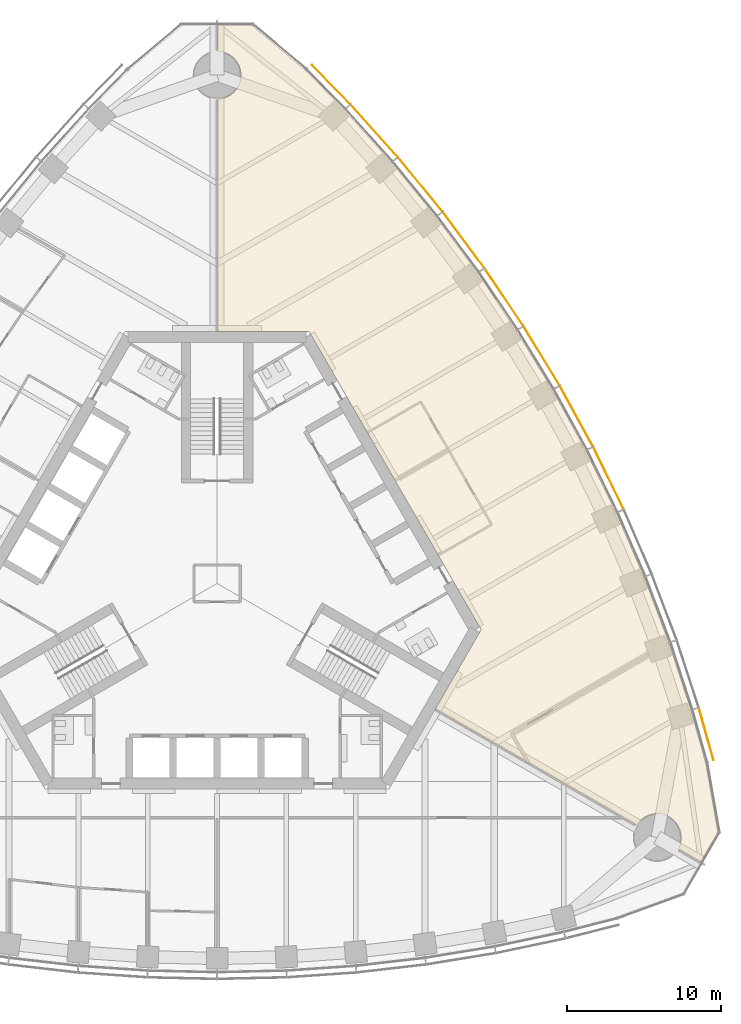
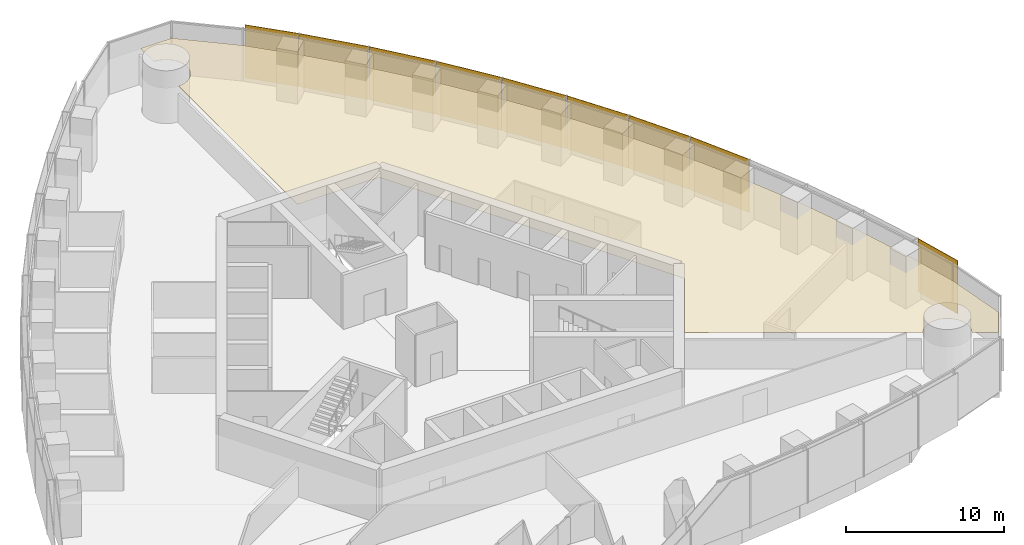
# One storey, part 17 of 19: 9 shading devices, 1 covering.
"""IFC4 building model written with IfcOpenShell, lengths in metres."""

from ifc_helpers import new_model, si_unit, direction, frame, origin, origin_2d, place, context, subcontext, project, spatial, polyline, rectangle, outline, extrude, material, layer, layer_set, type_object, element, save


model = new_model("IFC4")

# Units and contexts
model_context = context("Model", 3, precision=1e-05, world=origin(), true_north=direction((0.0, 1.0)))
body_context = subcontext(model_context, "Body", "Model", "MODEL_VIEW")
ifc_project = project(units=[si_unit("LENGTHUNIT", "METRE"), si_unit("AREAUNIT", "SQUARE_METRE"), si_unit("VOLUMEUNIT", "CUBIC_METRE"), si_unit("PLANEANGLEUNIT", "RADIAN"), si_unit("MASSUNIT", "GRAM", prefix="KILO")], contexts=[model_context])

# Site, building, storey
site_placement = place(None, origin())
site = spatial("IfcSite", under=ifc_project, at=site_placement, CompositionType="ELEMENT")
building_placement = place(site_placement, origin())
building = spatial("IfcBuilding", under=site, at=building_placement, Name="Trefoil Bronze Tower", CompositionType="ELEMENT")
storey_placement = place(building_placement, frame((0.0, 0.0, 244.300048828125)))
storey = spatial("IfcBuildingStorey", under=building, at=storey_placement, Name="L56", CompositionType="ELEMENT", Elevation=244.300048828125)

# Shading devices
ifc_material_1 = material(Name="Perforated bronze sheet", Category="bronze")
ifc_layer_1 = layer(ifc_material_1, 0.0400390625)
ifc_layer_set_1 = layer_set([ifc_layer_1], Name="Bronze solar screen panel")
shading_device_type = type_object("IfcShadingDeviceType", Name="Bronze solar screen panel", PredefinedType="SHUTTER", material=ifc_layer_set_1)
shading_device_1_placement = place(storey_placement, frame((31.764892578125, -9.7890625, 0.0498046875), z_axis=(0.0, 0.0, 1.0), x_axis=(-0.270282222968, 0.962781138134, 0.0)))
element("IfcShadingDevice", 1, at=shading_device_1_placement, inside=storey, type_object=shading_device_type, Name="Solar screen CW-A L56 F2 bay 1", PredefinedType="SHUTTER", context=body_context, shape_type="SweptSolid", body=[
    extrude(rectangle(XDim=3.53369140625, YDim=0.0400390625, at=origin_2d()), origin(), (0.0, 0.0, 1.0), 4.10009765625),
])
shading_device_2_placement = place(storey_placement, frame((25.4169921875, 6.83740234375, 0.0498046875), z_axis=(0.0, 0.0, 1.0), x_axis=(-0.439129033334, 0.898424004623, 0.0)))
element("IfcShadingDevice", 2, at=shading_device_2_placement, inside=storey, type_object=shading_device_type, Name="Solar screen CW-A L56 F2 bay 5", PredefinedType="SHUTTER", context=body_context, shape_type="SweptSolid", body=[
    extrude(rectangle(XDim=4.480712890625, YDim=0.0400390625, at=origin_2d()), origin(), (0.0, 0.0, 1.0), 4.10009765625),
])
for number, where, z_axis, x_axis, name in (
    (3, (23.3349609375, 10.860107421875, 0.0498046875), (0.0, 0.0, 1.0), (-0.479974003504, 0.877282711536, 0.0), "Solar screen CW-A L56 F2 bay 6"),
    (4, (21.07275390625, 14.77880859375, 0.0498046875), (0.0, 0.0, 1.0), (-0.519762112739, 0.854311035959, 0.0), "Solar screen CW-A L56 F2 bay 7"),
):
    element("IfcShadingDevice", number, at=place(storey_placement, frame(where, z_axis=z_axis, x_axis=x_axis)), inside=storey, type_object=shading_device_type, Name=name, PredefinedType="SHUTTER", context=body_context, shape_type="SweptSolid", body=[
        extrude(rectangle(XDim=4.47119140625, YDim=0.0400390625, at=origin_2d()), origin(), (0.0, 0.0, 1.0), 4.10009765625),
    ])
shading_device_3_placement = place(storey_placement, frame((18.6298828125, 18.59326171875, 0.0498046875), z_axis=(0.0, 0.0, 1.0), x_axis=(-0.558493494706, 0.829508900718, 0.0)))
element("IfcShadingDevice", 5, at=shading_device_3_placement, inside=storey, type_object=shading_device_type, Name="Solar screen CW-A L56 F2 bay 8", PredefinedType="SHUTTER", context=body_context, shape_type="SweptSolid", body=[
    extrude(rectangle(XDim=4.480712890625, YDim=0.0400390625, at=origin_2d()), origin(), (0.0, 0.0, 1.0), 4.10009765625),
])
shading_device_4_placement = place(storey_placement, frame((16.005615234375, 22.302734375, 0.0498046875), z_axis=(0.0, 0.0, 1.0), x_axis=(-0.596161525977, 0.802864518425, 0.0)))
element("IfcShadingDevice", 6, at=shading_device_4_placement, inside=storey, type_object=shading_device_type, Name="Solar screen CW-A L56 F2 bay 9", PredefinedType="SHUTTER", context=body_context, shape_type="SweptSolid", body=[
    extrude(rectangle(XDim=4.5, YDim=0.0400390625, at=origin_2d()), origin(), (0.0, 0.0, 1.0), 4.10009765625),
])
shading_device_5_placement = place(storey_placement, frame((13.197509765625, 25.90625, 0.0498046875), z_axis=(0.0, 0.0, 1.0), x_axis=(-0.63275261301, 0.774354008661, 0.0)))
element("IfcShadingDevice", 7, at=shading_device_5_placement, inside=storey, type_object=shading_device_type, Name="Solar screen CW-A L56 F2 bay 10", PredefinedType="SHUTTER", context=body_context, shape_type="SweptSolid", body=[
    extrude(rectangle(XDim=4.529296875, YDim=0.0400390625, at=origin_2d()), origin(), (0.0, 0.0, 1.0), 4.10009765625),
])
shading_device_6_placement = place(storey_placement, frame((10.20166015625, 29.401611328125, 0.0498046875), z_axis=(0.0, 0.0, 1.0), x_axis=(-0.668245744076, 0.743940606181, 0.0)))
element("IfcShadingDevice", 8, at=shading_device_6_placement, inside=storey, type_object=shading_device_type, Name="Solar screen CW-A L56 F2 bay 11", PredefinedType="SHUTTER", context=body_context, shape_type="SweptSolid", body=[
    extrude(rectangle(XDim=4.5693359375, YDim=0.0400390625, at=origin_2d()), origin(), (0.0, 0.0, 1.0), 4.10009765625),
])
shading_device_7_placement = place(storey_placement, frame((7.40478515625, 32.40380859375, 0.0498046875), z_axis=(0.0, 0.0, 1.0), x_axis=(-0.698651812425, 0.715461840349, 0.0)))
element("IfcShadingDevice", 9, at=shading_device_7_placement, inside=storey, type_object=shading_device_type, Name="Solar screen CW-A L56 F2 bay 12", PredefinedType="SHUTTER", context=body_context, shape_type="SweptSolid", body=[
    extrude(rectangle(XDim=3.53369140625, YDim=0.0400390625, at=origin_2d()), origin(), (0.0, 0.0, 1.0), 4.10009765625),
])

# Covering
ifc_material_2 = material(Name="Acoustic ceiling panels", Category="mineral fibre")
ifc_layer_2 = layer(ifc_material_2, 0.02001953125)
ifc_layer_set_2 = layer_set([ifc_layer_2], Name="Office ceiling 20")
covering_type = type_object("IfcCoveringType", Name="Office ceiling 20", PredefinedType="CEILING", material=ifc_layer_set_2)
covering_placement = place(storey_placement, frame((0.0, 0.0, 2.89990234375)))
element("IfcCovering", 10, at=covering_placement, inside=storey, type_object=covering_type, Name="Ceiling L56 Open-plan office F2", PredefinedType="CEILING", context=body_context, shape_type="SweptSolid", body=[
    extrude(outline(polyline([(8.26318359375, 30.751708984375), (11.3369140625, 27.329833984375), (14.2216796875, 23.79931640625), (16.92236328125, 20.162353515625), (19.44140625, 16.420654296875), (21.781005859375, 12.5751953125), (23.94140625, 8.62646484375), (25.92236328125, 4.573974609375), (27.7216796875, 0.416748046875), (29.3369140625, -3.846923828125), (30.76318359375, -8.219482421875), (31.7265625, -11.650634765625), (32.518310546875, -16.1416015625), (31.385009765625, -18.1044921875), (29.92724609375, -17.263427734375), (29.94580078125, -17.230712890625), (29.97998046875, -17.16259765625), (30.010986328125, -17.09326171875), (30.0380859375, -17.022216796875), (30.06201171875, -16.949951171875), (30.08251953125, -16.876708984375), (30.09912109375, -16.802490234375), (30.112060546875, -16.727294921875), (30.121337890625, -16.65185546875), (30.126953125, -16.576171875), (30.12890625, -16.5), (30.126953125, -16.423828125), (30.121337890625, -16.34814453125), (30.112060546875, -16.272705078125), (30.09912109375, -16.197509765625), (30.08251953125, -16.123291015625), (30.06201171875, -16.050048828125), (30.0380859375, -15.977783203125), (30.010986328125, -15.90673828125), (29.97998046875, -15.83740234375), (29.94580078125, -15.769287109375), (29.908203125, -15.703125), (29.86767578125, -15.638916015625), (29.82373046875, -15.57666015625), (29.777099609375, -15.5166015625), (29.727294921875, -15.458984375), (29.6748046875, -15.404052734375), (29.619873046875, -15.3515625), (29.56201171875, -15.3017578125), (29.502197265625, -15.2548828125), (29.43994140625, -15.211181640625), (29.375732421875, -15.17041015625), (29.3095703125, -15.133056640625), (29.241455078125, -15.098876953125), (29.172119140625, -15.068115234375), (29.10107421875, -15.04052734375), (29.02880859375, -15.0166015625), (28.95556640625, -14.99658203125), (28.881103515625, -14.979736328125), (28.806396484375, -14.966796875), (28.730712890625, -14.95751953125), (28.65478515625, -14.951904296875), (28.578857421875, -14.949951171875), (28.502685546875, -14.951904296875), (28.427001953125, -14.95751953125), (28.351318359375, -14.966796875), (28.2763671875, -14.979736328125), (28.2021484375, -14.99658203125), (28.12890625, -15.0166015625), (28.056640625, -15.04052734375), (27.985595703125, -15.068115234375), (27.916015625, -15.098876953125), (27.84814453125, -15.133056640625), (27.781982421875, -15.17041015625), (27.7177734375, -15.211181640625), (27.655517578125, -15.2548828125), (27.595458984375, -15.3017578125), (27.537841796875, -15.3515625), (27.48291015625, -15.404052734375), (27.430419921875, -15.458984375), (27.380615234375, -15.5166015625), (27.333984375, -15.57666015625), (27.2900390625, -15.638916015625), (27.24267578125, -15.71484375), (14.16259765625, -8.169677734375), (17.147216796875, -3.0), (5.9755859375, 16.35009765625), (0.006103515625, 16.35009765625), (0.01171875, 31.4501953125), (0.076171875, 31.451904296875), (0.15185546875, 31.45751953125), (0.227294921875, 31.466796875), (0.302490234375, 31.479736328125), (0.376708984375, 31.49658203125), (0.449951171875, 31.5166015625), (0.522216796875, 31.54052734375), (0.59326171875, 31.568115234375), (0.66259765625, 31.598876953125), (0.730712890625, 31.633056640625), (0.796875, 31.67041015625), (0.861083984375, 31.711181640625), (0.92333984375, 31.7548828125), (0.9833984375, 31.8017578125), (1.041015625, 31.8515625), (1.095947265625, 31.904052734375), (1.1484375, 31.958984375), (1.1982421875, 32.0166015625), (1.2451171875, 32.07666015625), (1.288818359375, 32.138916015625), (1.32958984375, 32.203125), (1.366943359375, 32.269287109375), (1.401123046875, 32.33740234375), (1.431884765625, 32.40673828125), (1.45947265625, 32.477783203125), (1.4833984375, 32.550048828125), (1.50341796875, 32.623291015625), (1.520263671875, 32.697509765625), (1.533203125, 32.772705078125), (1.54248046875, 32.84814453125), (1.548095703125, 32.923828125), (1.550048828125, 33.0), (1.548095703125, 33.076171875), (1.54248046875, 33.15185546875), (1.533203125, 33.227294921875), (1.520263671875, 33.302490234375), (1.50341796875, 33.376708984375), (1.4833984375, 33.449951171875), (1.45947265625, 33.522216796875), (1.431884765625, 33.59326171875), (1.401123046875, 33.66259765625), (1.366943359375, 33.730712890625), (1.32958984375, 33.796875), (1.288818359375, 33.861083984375), (1.2451171875, 33.92333984375), (1.1982421875, 33.9833984375), (1.1484375, 34.041015625), (1.095947265625, 34.095947265625), (1.041015625, 34.1484375), (0.9833984375, 34.1982421875), (0.92333984375, 34.2451171875), (0.861083984375, 34.288818359375), (0.796875, 34.32958984375), (0.730712890625, 34.366943359375), (0.66259765625, 34.401123046875), (0.59326171875, 34.431884765625), (0.522216796875, 34.45947265625), (0.449951171875, 34.4833984375), (0.376708984375, 34.50341796875), (0.302490234375, 34.520263671875), (0.227294921875, 34.533203125), (0.15185546875, 34.54248046875), (0.076171875, 34.548095703125), (0.012939453125, 34.5498046875), (0.013671875, 36.232666015625), (2.280029296875, 36.232666015625), (5.7734375, 33.30126953125), (8.26318359375, 30.751708984375)])), origin(), (0.0, 0.0, 1.0), 0.02001953125),
])

save(model, "model.ifc")
